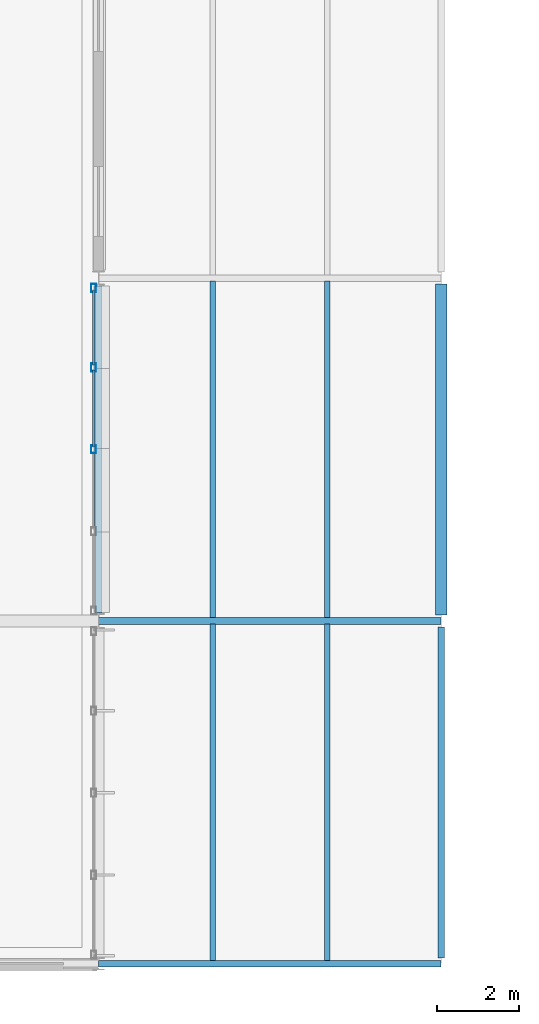
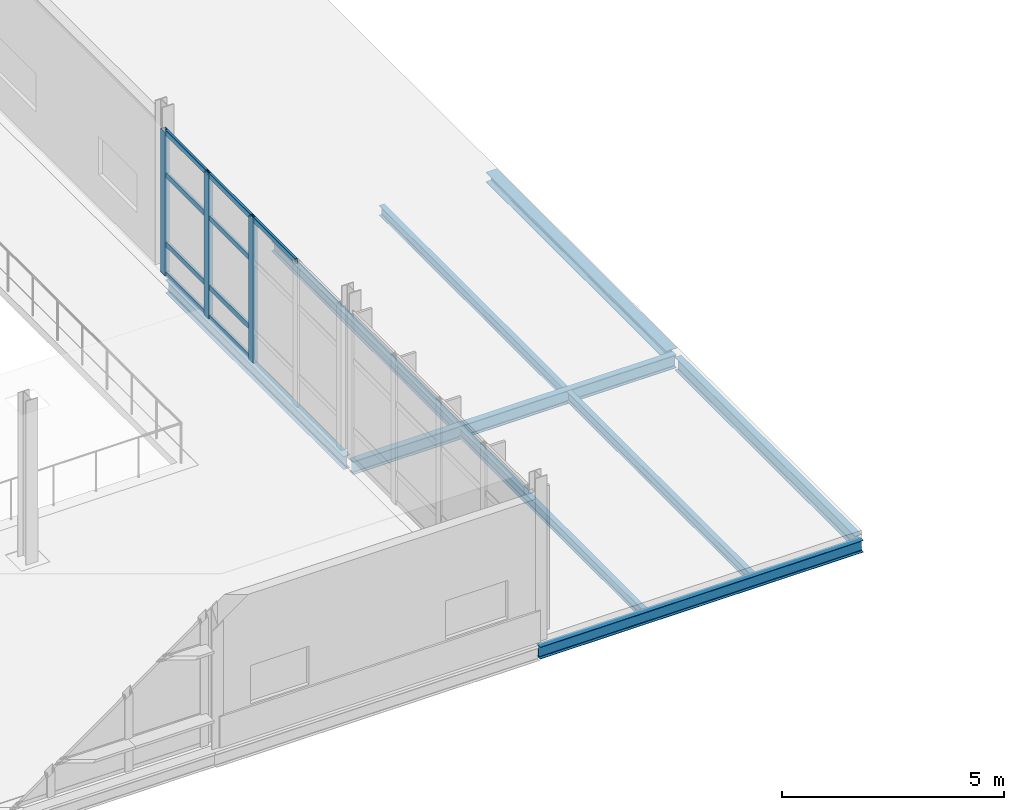
# One storey, part 60 of 129: 12 members, 9 beams, 1 element without a shape of its own.
"""IFC4 building model written with IfcOpenShell, lengths in metres."""

from ifc_helpers import new_model, si_unit, direction, frame, origin, origin_2d, place, context, subcontext, project, spatial, hollow_rectangle, i_section, extrude, material, material_profile, profile_set, type_object, element, aggregate, save


model = new_model("IFC4")

# Units and contexts
model_context = context("Model", 3, precision=1e-05, world=origin(), true_north=direction((0.0, 1.0)))
body_context = subcontext(model_context, "Body", "Model", "MODEL_VIEW")
ifc_project = project(units=[si_unit("LENGTHUNIT", "METRE"), si_unit("AREAUNIT", "SQUARE_METRE"), si_unit("VOLUMEUNIT", "CUBIC_METRE"), si_unit("PLANEANGLEUNIT", "RADIAN"), si_unit("MASSUNIT", "GRAM", prefix="KILO")], contexts=[model_context])

# Site, building, storey
site_placement = place(None, origin())
site = spatial("IfcSite", under=ifc_project, at=site_placement, CompositionType="ELEMENT")
building_placement = place(site_placement, origin())
building = spatial("IfcBuilding", under=site, at=building_placement, Name="Mersafa Astral City Hall", CompositionType="ELEMENT")
storey_placement = place(building_placement, frame((0.0, 0.0, 5.39990234375)))
storey = spatial("IfcBuildingStorey", under=building, at=storey_placement, Name="L01", CompositionType="ELEMENT", Elevation=5.39990234375)

# Curtain wall, members
ifc_material_1 = material(Name="Anodised bronze aluminium framing", Category="aluminium")
curtain_wall_type = type_object("IfcCurtainWallType", Name="ENV-CW-2", PredefinedType="USERDEFINED", material=ifc_material_1)
curtain_wall_placement = place(storey_placement, origin())
curtain_wall = element("IfcCurtainWall", 1, at=curtain_wall_placement, inside=storey, type_object=curtain_wall_type, Name="L01 Unitised solar curtain wall 49", ObjectType="UNITISED CURTAIN WALL", PredefinedType="USERDEFINED")
ifc_material_profile_1 = material_profile(ifc_material_1, hollow_rectangle(XDim=0.1201171875, YDim=0.199951171875, WallThickness=0.008056640625, at=origin_2d()), Name="RHS 120x200x8")
ifc_profile_set_1 = profile_set([ifc_material_profile_1], Name="Anodised bronze aluminium framing")
member_type_1 = type_object("IfcMemberType", Name="ENV-CW-MUL-2", PredefinedType="MULLION", material=ifc_profile_set_1)
member_1_placement = place(storey_placement, frame((142.679931640625, 12.60498046875, -0.001953125), z_axis=(0.0, 0.0, 1.0), x_axis=(-1.0, 0.0, 0.0)))
member_1 = element("IfcMember", 2, at=member_1_placement, type_object=member_type_1, Name="CW-2 mullion 3", PredefinedType="MULLION", context=body_context, shape_type="SweptSolid", body=[
    extrude(hollow_rectangle(XDim=0.1201171875, YDim=0.199951171875, WallThickness=0.008056640625, at=origin_2d()), origin(), (0.0, 0.0, 1.0), 3.93896484375),
])
member_2_placement = place(storey_placement, frame((142.679931640625, 14.611572265625, -0.001953125), z_axis=(0.0, 0.0, 1.0), x_axis=(-1.0, 0.0, 0.0)))
member_2 = element("IfcMember", 3, at=member_2_placement, type_object=member_type_1, Name="CW-2 mullion 4", PredefinedType="MULLION", context=body_context, shape_type="SweptSolid", body=[
    extrude(hollow_rectangle(XDim=0.1201171875, YDim=0.199951171875, WallThickness=0.008056640625, at=origin_2d()), origin(), (0.0, 0.0, 1.0), 3.93896484375),
])
member_3_placement = place(storey_placement, frame((142.679931640625, 16.55810546875, -0.001953125), z_axis=(0.0, 0.0, 1.0), x_axis=(-1.0, 0.0, 0.0)))
member_3 = element("IfcMember", 4, at=member_3_placement, type_object=member_type_1, Name="CW-2 mullion 5", PredefinedType="MULLION", context=body_context, shape_type="SweptSolid", body=[
    extrude(hollow_rectangle(XDim=0.1201171875, YDim=0.199951171875, WallThickness=0.008056640625, at=origin_2d()), origin(), (0.0, 0.0, 1.0), 3.93896484375),
])
ifc_material_profile_2 = material_profile(ifc_material_1, hollow_rectangle(XDim=0.06005859375, YDim=0.139892578125, WallThickness=0.00390625, at=origin_2d()), Name="RHS 60x140x4")
ifc_profile_set_2 = profile_set([ifc_material_profile_2], Name="Anodised bronze aluminium framing")
member_type_2 = type_object("IfcMemberType", Name="ENV-CW-TRN-1", PredefinedType="USERDEFINED", material=ifc_profile_set_2)
member_4_placement = place(storey_placement, frame((142.679931640625, 10.658447265625, 3.906982421875), z_axis=(0.0, 1.0, 0.0), x_axis=(-1.0, 0.0, 0.0)))
member_4 = element("IfcMember", 5, at=member_4_placement, type_object=member_type_2, Name="CW-2 transom 2.4", ObjectType="TRANSOM", PredefinedType="USERDEFINED", context=body_context, shape_type="SweptSolid", body=[
    extrude(hollow_rectangle(XDim=0.06005859375, YDim=0.139892578125, WallThickness=0.00390625, at=origin_2d()), origin(), (0.0, 0.0, 1.0), 1.886474609375),
])
member_5_placement = place(storey_placement, frame((142.679931640625, 12.6650390625, 0.028076171875), z_axis=(0.0, 1.0, 0.0), x_axis=(-1.0, 0.0, 0.0)))
member_5 = element("IfcMember", 6, at=member_5_placement, type_object=member_type_2, Name="CW-2 transom 3.1", ObjectType="TRANSOM", PredefinedType="USERDEFINED", context=body_context, shape_type="SweptSolid", body=[
    extrude(hollow_rectangle(XDim=0.06005859375, YDim=0.139892578125, WallThickness=0.00390625, at=origin_2d()), origin(), (0.0, 0.0, 1.0), 1.886474609375),
])
member_6_placement = place(storey_placement, frame((142.679931640625, 12.6650390625, 0.85009765625), z_axis=(0.0, 1.0, 0.0), x_axis=(-1.0, 0.0, 0.0)))
member_6 = element("IfcMember", 7, at=member_6_placement, type_object=member_type_2, Name="CW-2 transom 3.2", ObjectType="TRANSOM", PredefinedType="USERDEFINED", context=body_context, shape_type="SweptSolid", body=[
    extrude(hollow_rectangle(XDim=0.06005859375, YDim=0.139892578125, WallThickness=0.00390625, at=origin_2d()), origin(), (0.0, 0.0, 1.0), 1.886474609375),
])
member_7_placement = place(storey_placement, frame((142.679931640625, 12.6650390625, 2.75), z_axis=(0.0, 1.0, 0.0), x_axis=(-1.0, 0.0, 0.0)))
member_7 = element("IfcMember", 8, at=member_7_placement, type_object=member_type_2, Name="CW-2 transom 3.3", ObjectType="TRANSOM", PredefinedType="USERDEFINED", context=body_context, shape_type="SweptSolid", body=[
    extrude(hollow_rectangle(XDim=0.06005859375, YDim=0.139892578125, WallThickness=0.00390625, at=origin_2d()), origin(), (0.0, 0.0, 1.0), 1.886474609375),
])
member_8_placement = place(storey_placement, frame((142.679931640625, 12.6650390625, 3.906982421875), z_axis=(0.0, 1.0, 0.0), x_axis=(-1.0, 0.0, 0.0)))
member_8 = element("IfcMember", 9, at=member_8_placement, type_object=member_type_2, Name="CW-2 transom 3.4", ObjectType="TRANSOM", PredefinedType="USERDEFINED", context=body_context, shape_type="SweptSolid", body=[
    extrude(hollow_rectangle(XDim=0.06005859375, YDim=0.139892578125, WallThickness=0.00390625, at=origin_2d()), origin(), (0.0, 0.0, 1.0), 1.886474609375),
])
member_9_placement = place(storey_placement, frame((142.679931640625, 14.67138671875, 0.028076171875), z_axis=(0.0, 1.0, 0.0), x_axis=(-1.0, 0.0, 0.0)))
member_9 = element("IfcMember", 10, at=member_9_placement, type_object=member_type_2, Name="CW-2 transom 4.1", ObjectType="TRANSOM", PredefinedType="USERDEFINED", context=body_context, shape_type="SweptSolid", body=[
    extrude(hollow_rectangle(XDim=0.06005859375, YDim=0.139892578125, WallThickness=0.00390625, at=origin_2d()), origin(), (0.0, 0.0, 1.0), 1.82666015625),
])
member_10_placement = place(storey_placement, frame((142.679931640625, 14.67138671875, 0.85009765625), z_axis=(0.0, 1.0, 0.0), x_axis=(-1.0, 0.0, 0.0)))
member_10 = element("IfcMember", 11, at=member_10_placement, type_object=member_type_2, Name="CW-2 transom 4.2", ObjectType="TRANSOM", PredefinedType="USERDEFINED", context=body_context, shape_type="SweptSolid", body=[
    extrude(hollow_rectangle(XDim=0.06005859375, YDim=0.139892578125, WallThickness=0.00390625, at=origin_2d()), origin(), (0.0, 0.0, 1.0), 1.82666015625),
])
member_11_placement = place(storey_placement, frame((142.679931640625, 14.67138671875, 2.75), z_axis=(0.0, 1.0, 0.0), x_axis=(-1.0, 0.0, 0.0)))
member_11 = element("IfcMember", 12, at=member_11_placement, type_object=member_type_2, Name="CW-2 transom 4.3", ObjectType="TRANSOM", PredefinedType="USERDEFINED", context=body_context, shape_type="SweptSolid", body=[
    extrude(hollow_rectangle(XDim=0.06005859375, YDim=0.139892578125, WallThickness=0.00390625, at=origin_2d()), origin(), (0.0, 0.0, 1.0), 1.82666015625),
])
member_12_placement = place(storey_placement, frame((142.679931640625, 14.67138671875, 3.906982421875), z_axis=(0.0, 1.0, 0.0), x_axis=(-1.0, 0.0, 0.0)))
member_12 = element("IfcMember", 13, at=member_12_placement, type_object=member_type_2, Name="CW-2 transom 4.4", ObjectType="TRANSOM", PredefinedType="USERDEFINED", context=body_context, shape_type="SweptSolid", body=[
    extrude(hollow_rectangle(XDim=0.06005859375, YDim=0.139892578125, WallThickness=0.00390625, at=origin_2d()), origin(), (0.0, 0.0, 1.0), 1.82666015625),
])
aggregate(curtain_wall, [member_1, member_2, member_3, member_4, member_5, member_6, member_7, member_8, member_9, member_10, member_11, member_12])

# Beams
ifc_material_2 = material(Name="Steel S355", Category="steel")
ifc_material_profile_3 = material_profile(ifc_material_2, i_section(OverallWidth=0.135009765625, OverallDepth=0.27001953125, WebThickness=0.006591796875, FlangeThickness=0.01025390625, FilletRadius=0.014892578125, at=origin_2d()), Name="IPE 270")
ifc_profile_set_3 = profile_set([ifc_material_profile_3], Name="Steel S355")
beam_type_1 = type_object("IfcBeamType", Name="STR-BM-JOIST-IPE270", PredefinedType="JOIST", material=ifc_profile_set_3)
for number, where, z_axis, x_axis, name in (
    (14, (145.60009765625, 0.074951171875, -0.35986328125), (0.0, 1.0, 0.0), (-1.0, 0.0, 0.0), "L01 Flat roof secondary joist 39"),
    (15, (148.39990234375, 0.074951171875, -0.35986328125), (0.0, 1.0, 0.0), (-1.0, 0.0, 0.0), "L01 Flat roof secondary joist 40"),
    (16, (145.60009765625, 8.47998046875, -0.35986328125), (0.0, 1.0, 0.0), (-1.0, 0.0, 0.0), "L01 Flat roof secondary joist 41"),
    (17, (148.39990234375, 8.47998046875, -0.35986328125), (0.0, 1.0, 0.0), (-1.0, 0.0, 0.0), "L01 Flat roof secondary joist 42"),
):
    element("IfcBeam", number, at=place(storey_placement, frame(where, z_axis=z_axis, x_axis=x_axis)), inside=storey, type_object=beam_type_1, Name=name, PredefinedType="JOIST", context=body_context, shape_type="SweptSolid", body=[
        extrude(i_section(OverallWidth=0.135009765625, OverallDepth=0.27001953125, WebThickness=0.006591796875, FlangeThickness=0.01025390625, FilletRadius=0.014892578125, at=origin_2d()), origin(), (0.0, 0.0, 1.0), 8.2451171875),
    ])
ifc_material_profile_4 = material_profile(ifc_material_2, i_section(OverallWidth=0.280029296875, OverallDepth=0.27001953125, WebThickness=0.008056640625, FlangeThickness=0.012939453125, FilletRadius=0.02392578125, at=origin_2d()), Name="HEA 280")
ifc_profile_set_4 = profile_set([ifc_material_profile_4], Name="Steel S355")
beam_type_2 = type_object("IfcBeamType", Name="STR-BM-SPANDREL-HEA280", PredefinedType="SPANDREL", material=ifc_profile_set_4)
beam_1_placement = place(storey_placement, frame((151.199951171875, 8.544921875, -0.35986328125), z_axis=(0.0, 1.0, 0.0), x_axis=(-1.0, 0.0, 0.0)))
element("IfcBeam", 18, at=beam_1_placement, inside=storey, type_object=beam_type_2, Name="L01 Primary girder Y 18-1", PredefinedType="SPANDREL", context=body_context, shape_type="SweptSolid", body=[
    extrude(i_section(OverallWidth=0.280029296875, OverallDepth=0.27001953125, WebThickness=0.008056640625, FlangeThickness=0.012939453125, FilletRadius=0.02392578125, at=origin_2d()), origin(), (0.0, 0.0, 1.0), 8.110107421875),
])
ifc_material_profile_5 = material_profile(ifc_material_2, i_section(OverallWidth=0.159912109375, OverallDepth=0.330078125, WebThickness=0.007568359375, FlangeThickness=0.011474609375, FilletRadius=0.01806640625, at=origin_2d()), Name="IPE 330")
ifc_profile_set_5 = profile_set([ifc_material_profile_5], Name="Steel S355")
beam_type_3 = type_object("IfcBeamType", Name="STR-BM-SPANDREL-IPE330", PredefinedType="SPANDREL", material=ifc_profile_set_5)
beam_2_placement = place(storey_placement, frame((142.802978515625, 0.0, -0.389892578125), z_axis=(1.0, 0.0, 0.0), x_axis=(0.0, 1.0, 0.0)))
element("IfcBeam", 19, at=beam_2_placement, inside=storey, type_object=beam_type_3, Name="L01 Primary girder X 17-0", PredefinedType="SPANDREL", context=body_context, shape_type="SweptSolid", body=[
    extrude(i_section(OverallWidth=0.159912109375, OverallDepth=0.330078125, WebThickness=0.007568359375, FlangeThickness=0.011474609375, FilletRadius=0.01806640625, at=origin_2d()), origin(), (0.0, 0.0, 1.0), 8.39404296875),
])
ifc_material_profile_6 = material_profile(ifc_material_2, i_section(OverallWidth=0.169921875, OverallDepth=0.360107421875, WebThickness=0.008056640625, FlangeThickness=0.0126953125, FilletRadius=0.01806640625, at=origin_2d()), Name="IPE 360")
ifc_profile_set_6 = profile_set([ifc_material_profile_6], Name="Steel S355")
beam_type_4 = type_object("IfcBeamType", Name="STR-BM-SPANDREL-IPE360", PredefinedType="SPANDREL", material=ifc_profile_set_6)
beam_3_placement = place(storey_placement, frame((142.802978515625, 8.39990234375, -0.40478515625), z_axis=(1.0, 0.0, 0.0), x_axis=(0.0, 1.0, 0.0)))
element("IfcBeam", 20, at=beam_3_placement, inside=storey, type_object=beam_type_4, Name="L01 Primary girder X 17-1", PredefinedType="SPANDREL", context=body_context, shape_type="SweptSolid", body=[
    extrude(i_section(OverallWidth=0.169921875, OverallDepth=0.360107421875, WebThickness=0.008056640625, FlangeThickness=0.0126953125, FilletRadius=0.01806640625, at=origin_2d()), origin(), (0.0, 0.0, 1.0), 8.39404296875),
])
beam_4_placement = place(storey_placement, frame((142.800048828125, 8.594970703125, -0.40478515625), z_axis=(0.0, 1.0, 0.0), x_axis=(-1.0, 0.0, 0.0)))
element("IfcBeam", 21, at=beam_4_placement, inside=storey, type_object=beam_type_4, Name="L01 Primary girder Y 17-1", PredefinedType="SPANDREL", context=body_context, shape_type="SweptSolid", body=[
    extrude(i_section(OverallWidth=0.169921875, OverallDepth=0.360107421875, WebThickness=0.008056640625, FlangeThickness=0.0126953125, FilletRadius=0.01806640625, at=origin_2d()), origin(), (0.0, 0.0, 1.0), 8.010009765625),
])
beam_5_placement = place(storey_placement, frame((151.199951171875, 0.14501953125, -0.40478515625), z_axis=(0.0, 1.0, 0.0), x_axis=(-1.0, 0.0, 0.0)))
element("IfcBeam", 22, at=beam_5_placement, inside=storey, type_object=beam_type_4, Name="L01 Primary girder Y 18-0", PredefinedType="SPANDREL", context=body_context, shape_type="SweptSolid", body=[
    extrude(i_section(OverallWidth=0.169921875, OverallDepth=0.360107421875, WebThickness=0.008056640625, FlangeThickness=0.0126953125, FilletRadius=0.01806640625, at=origin_2d()), origin(), (0.0, 0.0, 1.0), 8.10986328125),
])

save(model, "model.ifc")
